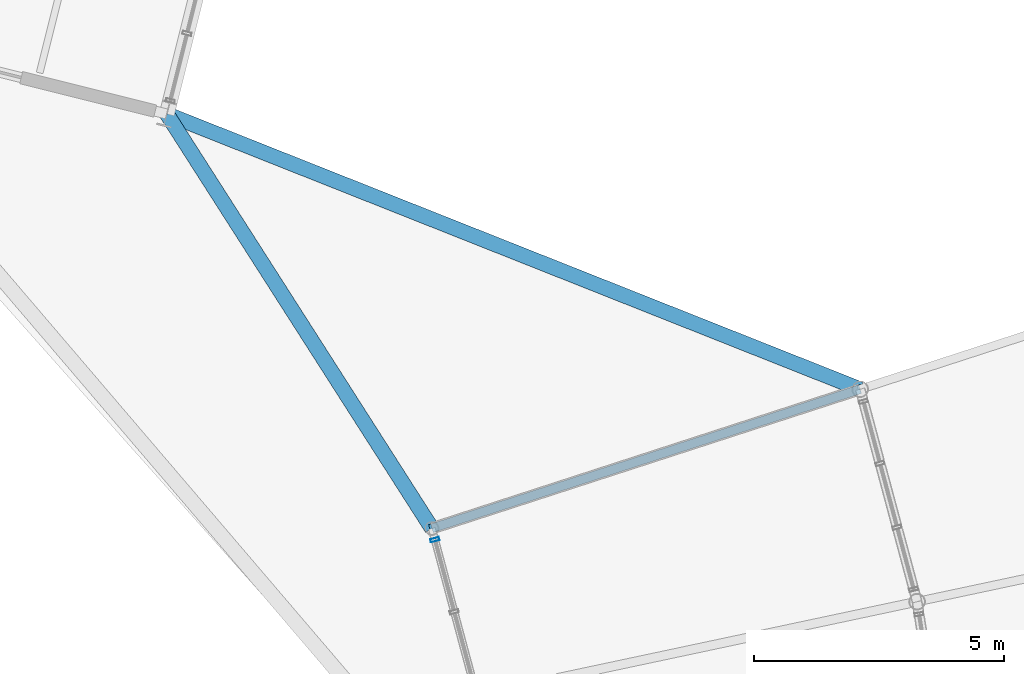
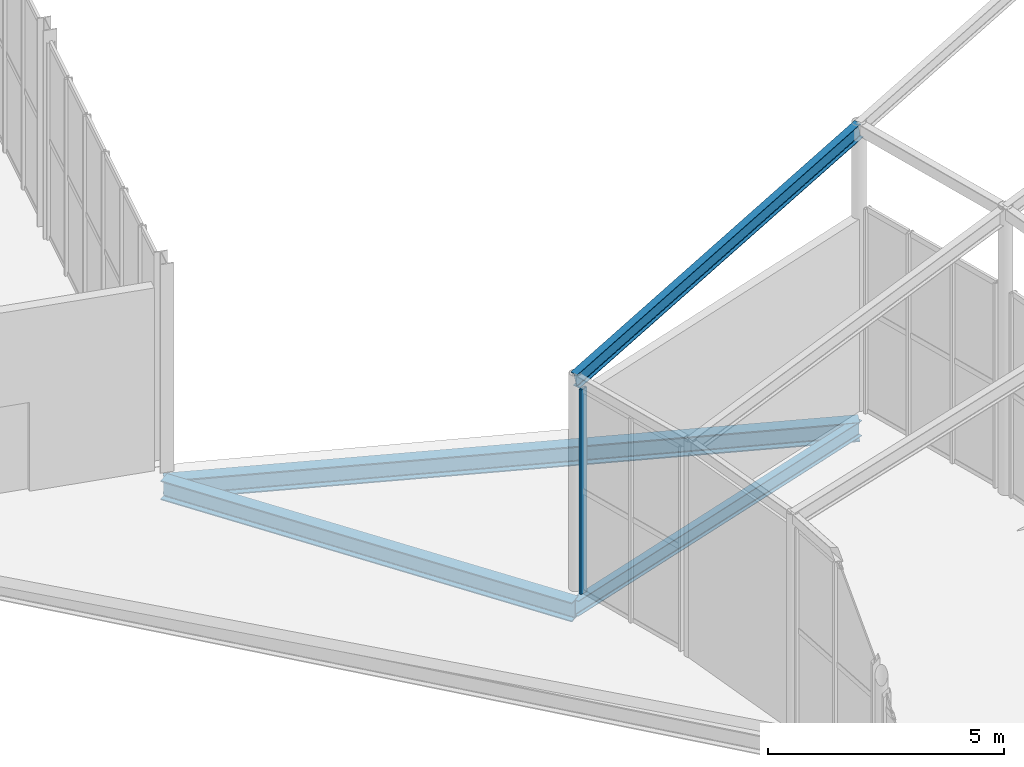
# One storey, part 97 of 158: 4 beams, 1 member, 1 element without a shape of its own.
"""IFC4 building model written with IfcOpenShell, lengths in metres."""

from ifc_helpers import new_model, si_unit, derived_unit, direction, frame, origin, origin_2d, place, context, subcontext, project, spatial, hollow_rectangle, i_section, extrude, material, material_profile, profile_set, type_object, element, aggregate, save


model = new_model("IFC4")

# Units and contexts
model_context = context("Model", 3, precision=1e-05, world=origin(), true_north=direction((0.0, 1.0)))
body_context = subcontext(model_context, "Body", "Model", "MODEL_VIEW")
ifc_project = project(units=[si_unit("LENGTHUNIT", "METRE"), si_unit("AREAUNIT", "SQUARE_METRE"), si_unit("VOLUMEUNIT", "CUBIC_METRE"), si_unit("PLANEANGLEUNIT", "RADIAN"), si_unit("MASSUNIT", "GRAM", prefix="KILO"), si_unit("THERMODYNAMICTEMPERATUREUNIT", "KELVIN"), si_unit("TIMEUNIT", "SECOND"), derived_unit("THERMALTRANSMITTANCEUNIT", [(si_unit("MASSUNIT", "GRAM", prefix="KILO"), 1), (si_unit("THERMODYNAMICTEMPERATUREUNIT", "KELVIN"), -1), (si_unit("TIMEUNIT", "SECOND"), -3)])], contexts=[model_context])

# Site, building, storey
site_placement = place(None, origin())
site = spatial("IfcSite", under=ifc_project, at=site_placement, CompositionType="ELEMENT")
building_placement = place(site_placement, origin())
building = spatial("IfcBuilding", under=site, at=building_placement, Name="Cambertide Market Hall", CompositionType="ELEMENT")
storey_placement = place(building_placement, origin())
storey = spatial("IfcBuildingStorey", under=building, at=storey_placement, Name="L01", CompositionType="ELEMENT", Elevation=0.0)

# Curtain wall, member
ifc_material_1 = material(Name="Marine Anodized Aluminium 6063-T6 AA25", Category="aluminium")
curtain_wall_type = type_object("IfcCurtainWallType", Name="Promenade Crescent Inner Glazed Wall", PredefinedType="USERDEFINED", material=ifc_material_1)
curtain_wall_placement = place(storey_placement, origin())
curtain_wall = element("IfcCurtainWall", 1, at=curtain_wall_placement, inside=storey, type_object=curtain_wall_type, Name="Level 1 Curtain Wall CW-V5I-L01-9", ObjectType="UNITIZED CURTAIN WALL", PredefinedType="USERDEFINED")
ifc_material_2 = material(Name="Champagne Marine Anodized Aluminium 6063-T6 AA25", Category="aluminium")
ifc_material_profile_1 = material_profile(ifc_material_2, hollow_rectangle(XDim=0.06494140625, YDim=0.179931640625, WallThickness=0.00390625, at=origin_2d()), Name="ALU MULLION 65x180")
ifc_profile_set_1 = profile_set([ifc_material_profile_1], Name="Champagne Marine Anodized Aluminium 6063-T6 AA25")
member_type = type_object("IfcMemberType", Name="Curtain Wall Mullion ALU MULLION 65x180", PredefinedType="MULLION", material=ifc_profile_set_1)
member_placement = place(storey_placement, frame((175.44580078125, 75.970458984375, 0.0), z_axis=(0.0, 0.0, 1.0), x_axis=(-0.25881910404, 0.965925810497, 0.0)))
member = element("IfcMember", 2, at=member_placement, type_object=member_type, Name="CW-V5I-L01-9 Mullion 3", PredefinedType="MULLION", context=body_context, shape_type="SweptSolid", body=[
    extrude(hollow_rectangle(XDim=0.06494140625, YDim=0.179931640625, WallThickness=0.00390625, at=origin_2d()), origin(), (0.0, 0.0, 1.0), 5.300048828125),
])
aggregate(curtain_wall, [member])

# Beams
ifc_material_3 = material(Name="Steel S355", Category="steel")
ifc_material_profile_2 = material_profile(ifc_material_3, i_section(OverallWidth=0.300048828125, OverallDepth=0.5, WebThickness=0.014404296875, FlangeThickness=0.028076171875, FilletRadius=0.027099609375, at=origin_2d()), Name="HEB 500")
ifc_profile_set_2 = profile_set([ifc_material_profile_2], Name="Steel S355")
beam_type_1 = type_object("IfcBeamType", Name="Exterior Steel Girder HEB 500", PredefinedType="BEAM", material=ifc_profile_set_2)
beam_1_placement = place(storey_placement, frame((170.089111328125, 84.477783203125, -0.544921875), z_axis=(0.538785119062, -0.842443229824, 0.0), x_axis=(0.842443229824, 0.538785119062, 0.0)))
element("IfcBeam", 3, at=beam_1_placement, inside=storey, type_object=beam_type_1, Name="Level 1 Beam TIE-V4V5-1", PredefinedType="BEAM", context=body_context, shape_type="SweptSolid", body=[
    extrude(i_section(OverallWidth=0.300048828125, OverallDepth=0.5, WebThickness=0.014404296875, FlangeThickness=0.028076171875, FilletRadius=0.027099609375, at=origin_2d()), origin(), (0.0, 0.0, 1.0), 9.828857421875),
])
beam_2_placement = place(storey_placement, frame((170.089111328125, 84.477783203125, -0.544921875), z_axis=(0.929469586479, -0.368898750081, 0.0), x_axis=(0.368898750081, 0.929469586479, 0.0)))
element("IfcBeam", 4, at=beam_2_placement, inside=storey, type_object=beam_type_1, Name="Level 1 Beam TIE-V4V5-3", PredefinedType="BEAM", context=body_context, shape_type="SweptSolid", body=[
    extrude(i_section(OverallWidth=0.300048828125, OverallDepth=0.5, WebThickness=0.014404296875, FlangeThickness=0.028076171875, FilletRadius=0.027099609375, at=origin_2d()), origin(), (0.0, 0.0, 1.0), 14.906494140625),
])
ifc_material_4 = material(Name="Steel S355", Category="steel")
ifc_material_profile_3 = material_profile(ifc_material_4, i_section(OverallWidth=0.179931640625, OverallDepth=0.39990234375, WebThickness=0.008544921875, FlangeThickness=0.013427734375, FilletRadius=0.02099609375, at=origin_2d()), Name="IPE 400")
ifc_profile_set_3 = profile_set([ifc_material_profile_3], Name="Steel S355")
beam_type_2 = type_object("IfcBeamType", Name="Exterior Steel Girder IPE 400", PredefinedType="BEAM", material=ifc_profile_set_3)
beam_3_placement = place(storey_placement, frame((175.384765625, 76.197509765625, 5.3798828125), z_axis=(0.931981751102, 0.302827612908, 0.199262270572), x_axis=(-0.309024734286, 0.951054001411, 0.0)))
element("IfcBeam", 5, at=beam_3_placement, inside=storey, type_object=beam_type_2, Name="BM-V5R1-CAN-10", PredefinedType="BEAM", context=body_context, shape_type="SweptSolid", body=[
    extrude(i_section(OverallWidth=0.179931640625, OverallDepth=0.39990234375, WebThickness=0.008544921875, FlangeThickness=0.013427734375, FilletRadius=0.02099609375, at=origin_2d()), origin(), (0.0, 0.0, 1.0), 9.184326171875),
])
ifc_material_5 = material(Name="Steel S355", Category="steel")
ifc_material_profile_4 = material_profile(ifc_material_5, i_section(OverallWidth=0.179931640625, OverallDepth=0.39990234375, WebThickness=0.008544921875, FlangeThickness=0.013427734375, FilletRadius=0.02099609375, at=origin_2d()), Name="IPE 400")
ifc_profile_set_4 = profile_set([ifc_material_profile_4], Name="Steel S355")
beam_type_3 = type_object("IfcBeamType", Name="Steel Girder IPE 400", PredefinedType="BEAM", material=ifc_profile_set_4)
beam_4_placement = place(storey_placement, frame((175.384765625, 76.197509765625, -0.5), z_axis=(0.951054001411, 0.309024734286, 0.0), x_axis=(-0.309024734286, 0.951054001411, 0.0)))
element("IfcBeam", 6, at=beam_4_placement, inside=storey, type_object=beam_type_3, Name="Level 1 Beam BM-V5R1-FLR-10", PredefinedType="BEAM", context=body_context, shape_type="SweptSolid", body=[
    extrude(i_section(OverallWidth=0.179931640625, OverallDepth=0.39990234375, WebThickness=0.008544921875, FlangeThickness=0.013427734375, FilletRadius=0.02099609375, at=origin_2d()), origin(), (0.0, 0.0, 1.0), 9.0),
])

save(model, "model.ifc")
